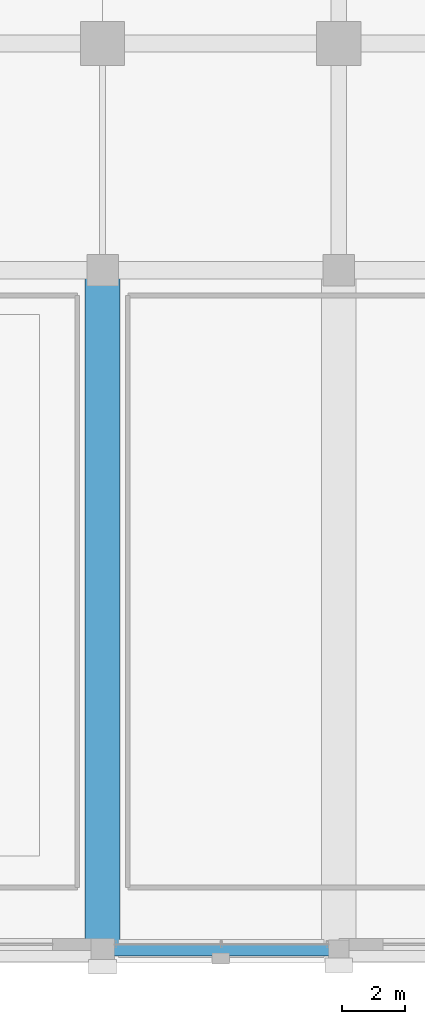
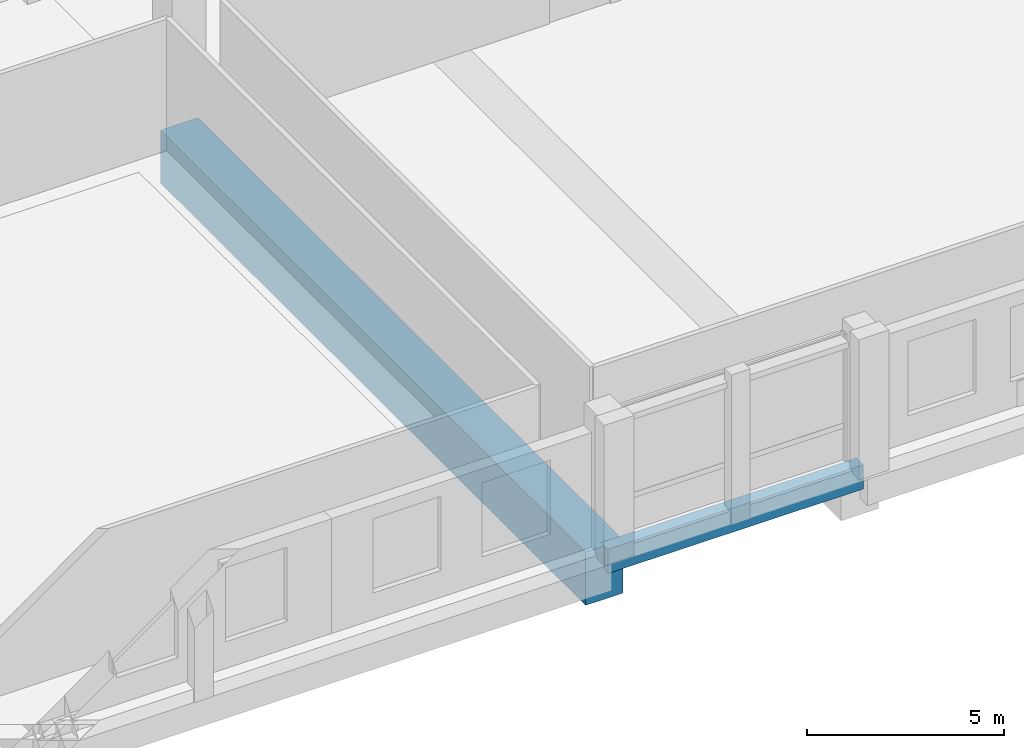
# One storey, part 23 of 64: 2 beams.
"""IFC4 building model written with IfcOpenShell, lengths in metres."""

from ifc_helpers import new_model, si_unit, direction, frame, origin, origin_2d, place, context, subcontext, project, spatial, rectangle, extrude, material, material_profile, profile_set, type_object, element, save


model = new_model("IFC4")

# Units and contexts
model_context = context("Model", 3, precision=1e-05, world=origin(), true_north=direction((0.0, 1.0)))
body_context = subcontext(model_context, "Body", "Model", "MODEL_VIEW")
ifc_project = project(units=[si_unit("LENGTHUNIT", "METRE"), si_unit("AREAUNIT", "SQUARE_METRE"), si_unit("VOLUMEUNIT", "CUBIC_METRE"), si_unit("PLANEANGLEUNIT", "RADIAN"), si_unit("MASSUNIT", "GRAM", prefix="KILO")], contexts=[model_context])

# Site, building, storey
site_placement = place(None, origin())
site = spatial("IfcSite", under=ifc_project, at=site_placement, CompositionType="ELEMENT")
building_placement = place(site_placement, origin())
building = spatial("IfcBuilding", under=site, at=building_placement, Name="Akrevak Sports Hall", CompositionType="ELEMENT")
storey_placement = place(building_placement, frame((0.0, 0.0, 4.60009765625)))
storey = spatial("IfcBuildingStorey", under=building, at=storey_placement, Name="L01", CompositionType="ELEMENT", Elevation=4.60009765625)

# Beams
ifc_material_1 = material(Name="Concrete C50/60", Category="concrete")
ifc_material_profile_1 = material_profile(ifc_material_1, rectangle(XDim=1.10009765625, YDim=1.64990234375, at=origin_2d()), Name="BM 1100x1650", Category="concrete")
ifc_profile_set_1 = profile_set([ifc_material_profile_1], Name="Concrete C50/60")
beam_type_1 = type_object("IfcBeamType", Name="STR-BM-LG1100x1650", PredefinedType="BEAM", material=ifc_profile_set_1)
beam_1_placement = place(storey_placement, frame((108.0, 0.0, -0.8251953125), z_axis=(0.0, 1.0, 0.0), x_axis=(-1.0, 0.0, 0.0)))
element("IfcBeam", 1, at=beam_1_placement, inside=storey, type_object=beam_type_1, Name="Girder 15/A-D (L01)", PredefinedType="BEAM", context=body_context, shape_type="SweptSolid", body=[
    extrude(rectangle(XDim=1.10009765625, YDim=1.64990234375, at=origin_2d()), origin(), (0.0, 0.0, 1.0), 21.60009765625),
])
ifc_material_2 = material(Name="Concrete C40/50", Category="concrete")
ifc_material_profile_2 = material_profile(ifc_material_2, rectangle(XDim=0.35009765625, YDim=0.75, at=origin_2d()), Name="SPD 350x750", Category="concrete")
ifc_profile_set_2 = profile_set([ifc_material_profile_2], Name="Concrete C40/50")
beam_type_2 = type_object("IfcBeamType", Name="STR-SPD-RC350x750", PredefinedType="SPANDREL", material=ifc_profile_set_2)
beam_2_placement = place(storey_placement, frame((108.0, 0.0, -0.375), z_axis=(1.0, 0.0, 0.0), x_axis=(0.0, 1.0, 0.0)))
element("IfcBeam", 2, at=beam_2_placement, inside=storey, type_object=beam_type_2, Name="Girder A/15-16 (L01)", PredefinedType="SPANDREL", context=body_context, shape_type="SweptSolid", body=[
    extrude(rectangle(XDim=0.35009765625, YDim=0.75, at=origin_2d()), origin(), (0.0, 0.0, 1.0), 7.5),
])

save(model, "model.ifc")
